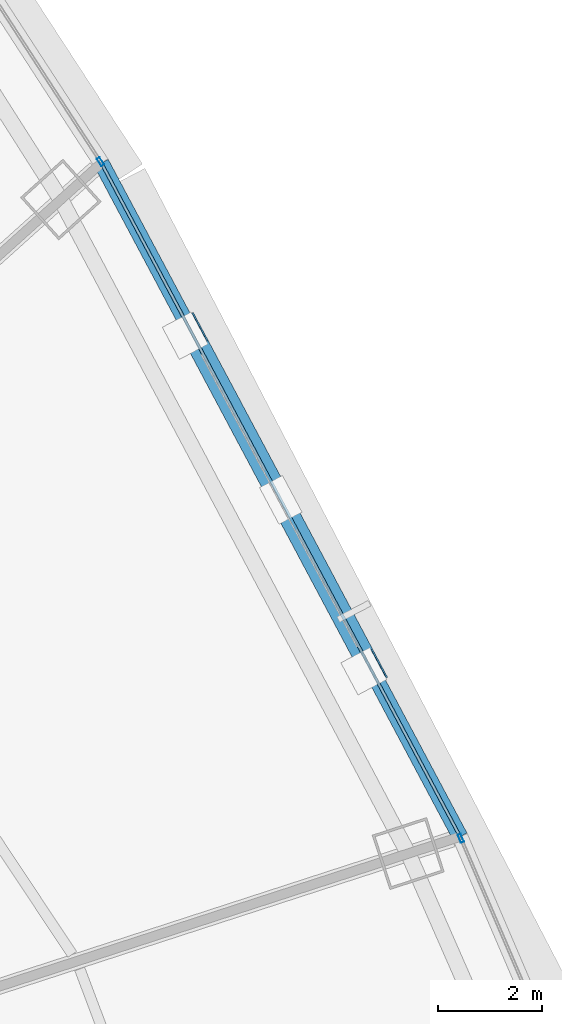
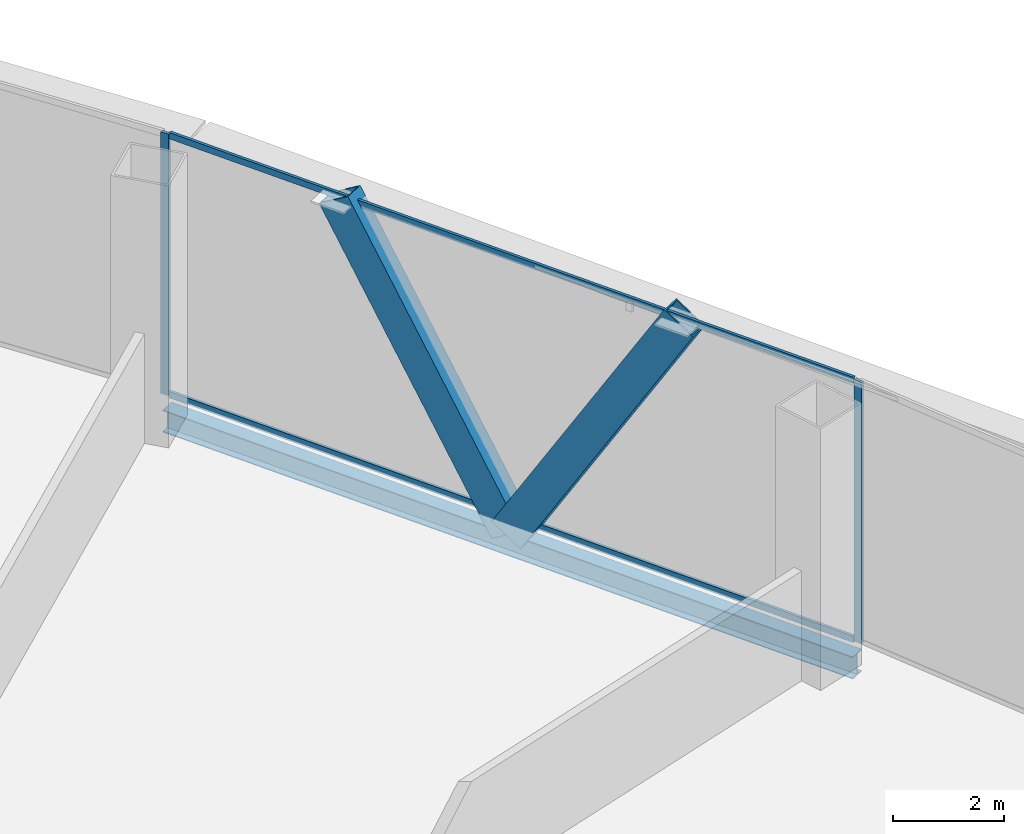
# One storey, part 25 of 41: 6 members, 1 beam, 3 elements without a shape of their own.
"""IFC4 building model written with IfcOpenShell, lengths in metres."""

from ifc_helpers import new_model, si_unit, direction, frame, origin, origin_2d, place, context, subcontext, project, spatial, hollow_rectangle, i_section, extrude, source, transform, mapped, material, layer, layer_set, material_profile, profile_set, type_object, element, aggregate, save


model = new_model("IFC4")

# Units and contexts
model_context = context("Model", 3, precision=1e-05, world=origin(), true_north=direction((0.0, 1.0)))
body_context = subcontext(model_context, "Body", "Model", "MODEL_VIEW")
ifc_project = project(units=[si_unit("LENGTHUNIT", "METRE"), si_unit("AREAUNIT", "SQUARE_METRE"), si_unit("VOLUMEUNIT", "CUBIC_METRE"), si_unit("PLANEANGLEUNIT", "RADIAN"), si_unit("MASSUNIT", "GRAM", prefix="KILO"), si_unit("THERMODYNAMICTEMPERATUREUNIT", "KELVIN"), si_unit("POWERUNIT", "WATT")], contexts=[model_context])

# Site, building, storey
site_placement = place(None, origin())
site = spatial("IfcSite", under=ifc_project, at=site_placement, CompositionType="ELEMENT")
building_placement = place(site_placement, origin())
building = spatial("IfcBuilding", under=site, at=building_placement, Name="Yunzhuo Pagoda Commons", CompositionType="ELEMENT")
storey_placement = place(building_placement, frame((0.0, 0.0, 70.330078125)))
storey = spatial("IfcBuildingStorey", under=building, at=storey_placement, Name="L18", CompositionType="ELEMENT", Elevation=70.330078125)

# Beam
ifc_material_1 = material(Name="Structural steel Q355B", Category="steel")
ifc_material_profile_1 = material_profile(ifc_material_1, i_section(OverallWidth=0.300048828125, OverallDepth=0.488037109375, WebThickness=0.010986328125, FlangeThickness=0.01806640625, at=origin_2d()), Name="Structural steel Q355B")
ifc_profile_set_1 = profile_set([ifc_material_profile_1], Name="Structural steel Q355B")
beam_type = type_object("IfcBeamType", Name="B-SP1 Beam HM 488x300x11x18", PredefinedType="BEAM", material=ifc_profile_set_1)
shared_shape_1 = source(origin(), body_context, "Body", "SweptSolid", [
    extrude(i_section(OverallWidth=0.300048828125, OverallDepth=0.488037109375, WebThickness=0.010986328125, FlangeThickness=0.01806640625, at=origin_2d()), origin(), (0.0, 0.0, 1.0), 14.68994140625),
])
beam_placement = place(storey_placement, frame((81.333984375, 44.531005859375, -0.504150390625), z_axis=(-0.470054191836, 0.882637556836, 0.0), x_axis=(-0.882637556836, -0.470054191836, 0.0)))
element("IfcBeam", 1, at=beam_placement, inside=storey, type_object=beam_type, Name="L18 facade edge spandrel beam F2.2", PredefinedType="BEAM", context=body_context, shape_type="MappedRepresentation", body=[
    mapped(shared_shape_1, transform((0.0, 0.0, 0.0), scale=1.0)),
])

# Members
ifc_material_2 = material(Name="Structural steel Q420B", Category="steel")
ifc_material_profile_2 = material_profile(ifc_material_2, hollow_rectangle(XDim=0.419921875, YDim=0.719970703125, WallThickness=0.028076171875, at=origin_2d()), Name="Structural steel Q420B")
ifc_profile_set_2 = profile_set([ifc_material_profile_2], Name="Structural steel Q420B")
member_type_1 = type_object("IfcMemberType", Name="M-DL1 Brace BOX 720x420x28", PredefinedType="BRACE", material=ifc_profile_set_2)
shared_shape_2 = source(origin(), body_context, "Body", "SweptSolid", [
    extrude(hollow_rectangle(XDim=0.419921875, YDim=0.719970703125, WallThickness=0.028076171875, at=origin_2d()), origin(), (0.0, 0.0, 1.0), 7.060302734375),
])
for number, where, z_axis, x_axis, name in (
    (2, (77.881591796875, 51.013916015625, -0.260009765625), (0.244509095353, -0.459107235046, 0.854070166332), (0.882630661501, 0.470067139224, 0.0), "L18 facade diamond brace F2.2L"),
    (3, (77.881591796875, 51.013916015625, -0.260009765625), (-0.244509095353, 0.459107235046, 0.854070166332), (-0.882630661501, -0.470067139224, 0.0), "L18 facade diamond brace F2.2R"),
):
    element("IfcMember", number, at=place(storey_placement, frame(where, z_axis=z_axis, x_axis=x_axis)), inside=storey, type_object=member_type_1, Name=name, PredefinedType="BRACE", context=body_context, shape_type="MappedRepresentation", body=[
        mapped(shared_shape_2, transform((0.0, 0.0, 0.0), scale=1.0)),
    ])

# Curtain wall, members
ifc_material_3 = material(Name="Anodized aluminium 6063-T6", Category="aluminium")
ifc_layer = layer(ifc_material_3, 0.1650390625)
ifc_layer_set = layer_set([ifc_layer], Name="Anodized aluminium 6063-T6")
curtain_wall_type = type_object("IfcCurtainWallType", Name="CW-LOW Low-Zone Ribbon Curtain Wall", PredefinedType="NOTDEFINED", material=ifc_layer_set)
curtain_wall_1_placement = place(storey_placement, origin())
curtain_wall_1 = element("IfcCurtainWall", 4, at=curtain_wall_1_placement, inside=storey, type_object=curtain_wall_type, Name="L18 curtain wall CW-L18-F2B3", PredefinedType="NOTDEFINED")
ifc_material_profile_3 = material_profile(ifc_material_3, hollow_rectangle(XDim=0.06005859375, YDim=0.139892578125, WallThickness=0.00341796875, at=origin_2d()), Name="Anodized aluminium 6063-T6")
ifc_profile_set_3 = profile_set([ifc_material_profile_3], Name="Anodized aluminium 6063-T6")
member_type_2 = type_object("IfcMemberType", Name="CW-LOW-T Transom RHS 140x60x3.5", PredefinedType="USERDEFINED", material=ifc_profile_set_3)
shared_shape_3 = source(origin(), body_context, "Body", "SweptSolid", [
    extrude(hollow_rectangle(XDim=0.06005859375, YDim=0.139892578125, WallThickness=0.00341796875, at=origin_2d()), origin(), (0.0, 0.0, 1.0), 14.559814453125),
])
member_1_placement = place(storey_placement, frame((81.303466796875, 44.58837890625, 0.030029296875), z_axis=(-0.470058129853, 0.882635459609, 0.0), x_axis=(-0.882635459609, -0.470058129853, 0.0)))
member_1 = element("IfcMember", 5, at=member_1_placement, type_object=member_type_2, Name="CW transom 1.1", ObjectType="TRANSOM", PredefinedType="USERDEFINED", context=body_context, shape_type="MappedRepresentation", body=[
    mapped(shared_shape_3, transform((0.0, 0.0, 0.0), scale=1.0)),
])
member_2_placement = place(storey_placement, frame((81.303466796875, 44.58837890625, 5.739990234375), z_axis=(-0.470058129853, 0.882635459609, 0.0), x_axis=(-0.882635459609, -0.470058129853, 0.0)))
member_2 = element("IfcMember", 6, at=member_2_placement, type_object=member_type_2, Name="CW transom 1.2", ObjectType="TRANSOM", PredefinedType="USERDEFINED", context=body_context, shape_type="MappedRepresentation", body=[
    mapped(shared_shape_3, transform((0.0, 0.0, 0.0), scale=1.0)),
])
aggregate(curtain_wall_1, [member_1, member_2])

# Curtain wall, member
curtain_wall_2_placement = place(storey_placement, origin())
curtain_wall_2 = element("IfcCurtainWall", 7, at=curtain_wall_2_placement, inside=storey, type_object=curtain_wall_type, Name="L18 curtain wall CW-L18-F2B2", PredefinedType="NOTDEFINED")
ifc_material_profile_4 = material_profile(ifc_material_3, hollow_rectangle(XDim=0.06494140625, YDim=0.1650390625, WallThickness=0.00390625, at=origin_2d()), Name="Anodized aluminium 6063-T6")
ifc_profile_set_4 = profile_set([ifc_material_profile_4], Name="Anodized aluminium 6063-T6")
member_type_3 = type_object("IfcMemberType", Name="CW-LOW-M Mullion RHS 165x65x4", PredefinedType="MULLION", material=ifc_profile_set_4)
shared_shape_4 = source(origin(), body_context, "Body", "SweptSolid", [
    extrude(hollow_rectangle(XDim=0.06494140625, YDim=0.1650390625, WallThickness=0.00390625, at=origin_2d()), origin(), (0.0, 0.0, 1.0), 5.77001953125),
])
member_3_placement = place(storey_placement, frame((81.346923828125, 44.5009765625, 0.0), z_axis=(0.0, 0.0, 1.0), x_axis=(-0.919121093161, -0.39397514656, 0.0)))
member_3 = element("IfcMember", 8, at=member_3_placement, type_object=member_type_3, Name="CW mullion 2", PredefinedType="MULLION", context=body_context, shape_type="MappedRepresentation", body=[
    mapped(shared_shape_4, transform((0.0, 0.0, 0.0), scale=1.0)),
])
aggregate(curtain_wall_2, [member_3])

curtain_wall_3_placement = place(storey_placement, origin())
curtain_wall_3 = element("IfcCurtainWall", 9, at=curtain_wall_3_placement, inside=storey, type_object=curtain_wall_type, Name="L18 curtain wall CW-L18-F2B4", PredefinedType="NOTDEFINED")
member_4_placement = place(storey_placement, frame((74.411376953125, 57.524169921875, 0.0), z_axis=(0.0, 0.0, 1.0), x_axis=(-0.838840312647, -0.54437756188, 0.0)))
member_4 = element("IfcMember", 10, at=member_4_placement, type_object=member_type_3, Name="CW mullion 1", PredefinedType="MULLION", context=body_context, shape_type="MappedRepresentation", body=[
    mapped(shared_shape_4, transform((0.0, 0.0, 0.0), scale=1.0)),
])
aggregate(curtain_wall_3, [member_4])

save(model, "model.ifc")
